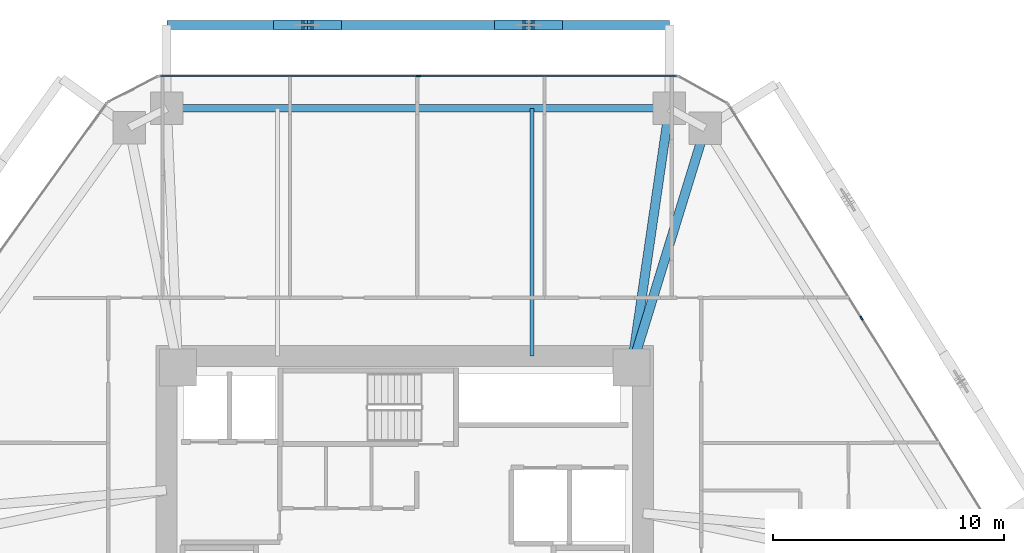
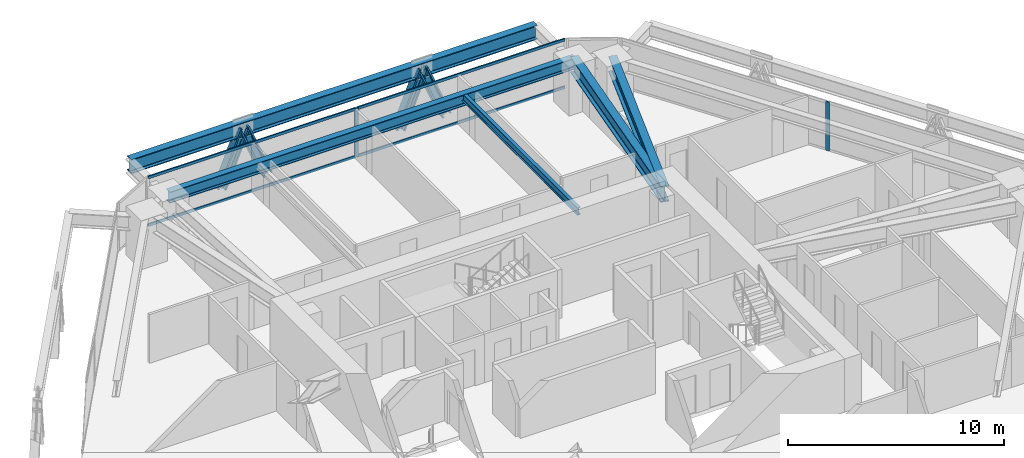
# One storey, part 8 of 18: 10 members, 5 beams, 2 elements without a shape of their own.
"""IFC4 building model written with IfcOpenShell, lengths in metres."""

from ifc_helpers import new_model, si_unit, direction, frame, origin, origin_2d, place, context, subcontext, project, spatial, rectangle, i_section, extrude, source, transform, mapped, material, layer, layer_set, material_profile, profile_set, type_object, type_shapes, element, aggregate, save


model = new_model("IFC4")

# Units and contexts
model_context = context("Model", 3, precision=1e-05, world=origin(), true_north=direction((0.0, 1.0)))
body_context = subcontext(model_context, "Body", "Model", "MODEL_VIEW")
ifc_project = project(units=[si_unit("LENGTHUNIT", "METRE"), si_unit("AREAUNIT", "SQUARE_METRE"), si_unit("VOLUMEUNIT", "CUBIC_METRE"), si_unit("PLANEANGLEUNIT", "RADIAN"), si_unit("MASSUNIT", "GRAM", prefix="KILO")], contexts=[model_context])

# Site, building, storey
site_placement = place(None, origin())
site = spatial("IfcSite", under=ifc_project, at=site_placement, CompositionType="ELEMENT")
building_placement = place(site_placement, origin())
building = spatial("IfcBuilding", under=site, at=building_placement, Name="Durnholm Broadcast Tower", CompositionType="ELEMENT")
storey_placement = place(building_placement, frame((0.0, 0.0, 78.300048828125)))
storey = spatial("IfcBuildingStorey", under=building, at=storey_placement, Name="L20", CompositionType="ELEMENT", Elevation=78.300048828125)

# Beams
ifc_material_1 = material(Name="Steel ASTM A992 Grade 50", Category="steel")
ifc_material_profile_1 = material_profile(ifc_material_1, i_section(OverallWidth=0.3291015625, OverallDepth=0.635009765625, WebThickness=0.017822265625, FlangeThickness=0.031005859375, FilletRadius=0.02783203125, at=origin_2d()), Name="W24X162")
ifc_profile_set_1 = profile_set([ifc_material_profile_1], Name="Steel ASTM A992 Grade 50")
beam_type_1 = type_object("IfcBeamType", Name="STL-SP-W24X162", PredefinedType="SPANDREL", material=ifc_profile_set_1)
shared_shape_1 = source(origin(), body_context, "Body", "SweptSolid", [
    extrude(i_section(OverallWidth=0.3291015625, OverallDepth=0.635009765625, WebThickness=0.017822265625, FlangeThickness=0.031005859375, FilletRadius=0.02783203125, at=origin_2d()), origin(), (0.0, 0.0, 1.0), 21.7138671875),
])
type_shapes(beam_type_1, [shared_shape_1])
beam_1_placement = place(storey_placement, frame((-10.28271484375, 19.0, 2.427490234375), z_axis=(1.0, 0.0, 0.0), x_axis=(0.0, 1.0, 0.0)))
element("IfcBeam", 1, at=beam_1_placement, inside=storey, type_object=beam_type_1, Name="L20 perimeter spandrel girder 05", PredefinedType="SPANDREL", context=body_context, shape_type="MappedRepresentation", body=[
    mapped(shared_shape_1, transform((0.0, 0.0, 0.0), x_axis=(1.0, 0.0, 0.0), y_axis=(0.0, 1.0, 0.0), z_axis=(0.0, 0.0, 1.0), scale=1.0)),
])
ifc_material_profile_2 = material_profile(ifc_material_1, i_section(OverallWidth=0.404052734375, OverallDepth=0.885009765625, WebThickness=0.0244140625, FlangeThickness=0.0439453125, FilletRadius=0.03564453125, at=origin_2d()), Name="W33X291")
ifc_profile_set_2 = profile_set([ifc_material_profile_2], Name="Steel ASTM A992 Grade 50")
beam_type_2 = type_object("IfcBeamType", Name="STL-GR-W33X291", PredefinedType="USERDEFINED", material=ifc_profile_set_2)
shared_shape_2 = source(origin(), body_context, "Body", "SweptSolid", [
    extrude(i_section(OverallWidth=0.404052734375, OverallDepth=0.885009765625, WebThickness=0.0244140625, FlangeThickness=0.0439453125, FilletRadius=0.03564453125, at=origin_2d()), origin(), (0.0, 0.0, 1.0), 11.318115234375),
])
beam_2_placement = place(storey_placement, frame((9.800048828125, 7.800048828125, 2.302490234375), z_axis=(0.144114595679, 0.989561005352, 0.0), x_axis=(-0.989561005352, 0.144114595679, 0.0)))
element("IfcBeam", 2, at=beam_2_placement, inside=storey, type_object=beam_type_2, Name="L20 radial primary floor girder 06", ObjectType="GIRDER", PredefinedType="USERDEFINED", context=body_context, shape_type="MappedRepresentation", body=[
    mapped(shared_shape_2, transform((0.0, 0.0, 0.0), x_axis=(1.0, 0.0, 0.0), y_axis=(0.0, 1.0, 0.0), z_axis=(0.0, 0.0, 1.0), scale=1.0)),
])
shared_shape_3 = source(origin(), body_context, "Body", "SweptSolid", [
    extrude(i_section(OverallWidth=0.404052734375, OverallDepth=0.885009765625, WebThickness=0.0244140625, FlangeThickness=0.0439453125, FilletRadius=0.03564453125, at=origin_2d()), origin(), (0.0, 0.0, 1.0), 10.817138671875),
])
type_shapes(beam_type_2, [shared_shape_2, shared_shape_3])
beam_3_placement = place(storey_placement, frame((9.800048828125, 7.800048828125, 2.302490234375), z_axis=(0.294219068418, 0.955738007918, 0.0), x_axis=(-0.955738007918, 0.294219068418, 0.0)))
element("IfcBeam", 3, at=beam_3_placement, inside=storey, type_object=beam_type_2, Name="L20 radial primary floor girder 07", ObjectType="GIRDER", PredefinedType="USERDEFINED", context=body_context, shape_type="MappedRepresentation", body=[
    mapped(shared_shape_3, transform((0.0, 0.0, 0.0), x_axis=(1.0, 0.0, 0.0), y_axis=(0.0, 1.0, 0.0), z_axis=(0.0, 0.0, 1.0), scale=1.0)),
])
ifc_material_profile_3 = material_profile(ifc_material_1, i_section(OverallWidth=0.180908203125, OverallDepth=0.417236328125, WebThickness=0.010986328125, FlangeThickness=0.018310546875, FilletRadius=0.01904296875, at=origin_2d()), Name="W16X57")
ifc_profile_set_3 = profile_set([ifc_material_profile_3], Name="Steel ASTM A992 Grade 50")
beam_type_3 = type_object("IfcBeamType", Name="STL-BJ-W16X57", PredefinedType="JOIST", material=ifc_profile_set_3)
shared_shape_4 = source(origin(), body_context, "Body", "SweptSolid", [
    extrude(i_section(OverallWidth=0.180908203125, OverallDepth=0.417236328125, WebThickness=0.010986328125, FlangeThickness=0.018310546875, FilletRadius=0.01904296875, at=origin_2d()), origin(), (0.0, 0.0, 1.0), 10.699951171875),
])
type_shapes(beam_type_3, [shared_shape_4])
beam_4_placement = place(storey_placement, frame((5.5, 8.300048828125, 2.5361328125), z_axis=(0.0, 1.0, 0.0), x_axis=(-1.0, 0.0, 0.0)))
element("IfcBeam", 4, at=beam_4_placement, inside=storey, type_object=beam_type_3, Name="L20 secondary floor joist 4.2", PredefinedType="JOIST", context=body_context, shape_type="MappedRepresentation", body=[
    mapped(shared_shape_4, transform((0.0, 0.0, 0.0), x_axis=(1.0, 0.0, 0.0), y_axis=(0.0, 1.0, 0.0), z_axis=(0.0, 0.0, 1.0), scale=1.0)),
])
ifc_material_profile_4 = material_profile(ifc_material_1, i_section(OverallWidth=0.385009765625, OverallDepth=0.802978515625, WebThickness=0.023681640625, FlangeThickness=0.0419921875, FilletRadius=0.032958984375, at=origin_2d()), Name="W30X261")
ifc_profile_set_4 = profile_set([ifc_material_profile_4], Name="Steel ASTM A992 Grade 50")
beam_type_4 = type_object("IfcBeamType", Name="BM-EXO-TIE", PredefinedType="USERDEFINED", material=ifc_profile_set_4)
shared_shape_5 = source(origin(), body_context, "Body", "SweptSolid", [
    extrude(i_section(OverallWidth=0.385009765625, OverallDepth=0.802978515625, WebThickness=0.023681640625, FlangeThickness=0.0419921875, FilletRadius=0.032958984375, at=origin_2d()), origin(), (0.0, 0.0, 1.0), 21.7138671875),
])
type_shapes(beam_type_4, [shared_shape_5])
beam_5_placement = place(storey_placement, frame((11.43115234375, 22.60009765625, 2.008544921875), z_axis=(-1.0, 0.0, 0.0), x_axis=(0.0, -1.0, 0.0)))
element("IfcBeam", 5, at=beam_5_placement, inside=storey, type_object=beam_type_4, Name="L20 exoskeleton collector spandrel F4", PredefinedType="SPANDREL", context=body_context, shape_type="MappedRepresentation", body=[
    mapped(shared_shape_5, transform((0.0, 0.0, 0.0), x_axis=(1.0, 0.0, 0.0), y_axis=(0.0, 1.0, 0.0), z_axis=(0.0, 0.0, 1.0), scale=1.0)),
])

# Members
ifc_material_2 = material(Name="Steel ASTM A913 Grade 65", Category="steel")
ifc_material_profile_5 = material_profile(ifc_material_2, i_section(OverallWidth=0.43212890625, OverallDepth=0.497802734375, WebThickness=0.0556640625, FlangeThickness=0.0888671875, FilletRadius=0.030517578125, at=origin_2d()), Name="W14X500")
ifc_profile_set_5 = profile_set([ifc_material_profile_5], Name="Steel ASTM A913 Grade 65")
member_type_1 = type_object("IfcMemberType", Name="STL-DG-W14X500", PredefinedType="BRACE", material=ifc_profile_set_5)
shared_shape_6 = source(origin(), body_context, "Body", "SweptSolid", [
    extrude(i_section(OverallWidth=0.43212890625, OverallDepth=0.497802734375, WebThickness=0.0556640625, FlangeThickness=0.0888671875, FilletRadius=0.030517578125, at=origin_2d()), origin(), (0.0, 0.0, 1.0), 3.243896484375),
])
type_shapes(member_type_1, [shared_shape_6])
for number, where, z_axis, x_axis, name in (
    (6, (6.585205078125, 22.60009765625, -0.991455078125), (-0.380378804119, 0.0, 0.924830776616), (0.0, -1.0, 0.0), "L20 stand-off diagrid brace F4.D1.1"),
    (7, (4.117431640625, 22.60009765625, -0.991455078125), (0.380378804119, 0.0, 0.924830776616), (0.0, 1.0, 0.0), "L20 stand-off diagrid brace F4.D1.2"),
    (8, (-2.968994140625, 22.60009765625, -0.991455078125), (-0.380378804119, 0.0, 0.924830776616), (0.0, -1.0, 0.0), "L20 stand-off diagrid brace F4.D2.1"),
    (9, (-5.436767578125, 22.60009765625, -0.991455078125), (0.380378804119, 0.0, 0.924830776616), (0.0, 1.0, 0.0), "L20 stand-off diagrid brace F4.D2.2"),
):
    element("IfcMember", number, at=place(storey_placement, frame(where, z_axis=z_axis, x_axis=x_axis)), inside=storey, type_object=member_type_1, Name=name, PredefinedType="BRACE", context=body_context, shape_type="MappedRepresentation", body=[
        mapped(shared_shape_6, transform((0.0, 0.0, 0.0), x_axis=(1.0, 0.0, 0.0), y_axis=(0.0, 1.0, 0.0), z_axis=(0.0, 0.0, 1.0), scale=1.0)),
    ])

# Curtain wall, members
ifc_material_3 = material(Name="Aluminium and Solar Control IGU", Category="aluminium")
ifc_layer = layer(ifc_material_3, 0.18994140625)
ifc_layer_set = layer_set([ifc_layer], Name="Aluminium and Solar Control IGU")
curtain_wall_type = type_object("IfcCurtainWallType", Name="CW-SYS-3", PredefinedType="NOTDEFINED", material=ifc_layer_set)
curtain_wall_1_placement = place(storey_placement, origin())
curtain_wall_1 = element("IfcCurtainWall", 10, at=curtain_wall_1_placement, inside=storey, type_object=curtain_wall_type, Name="L20 curtain wall CW-Z12-VIS CW-L20-F04", PredefinedType="NOTDEFINED")
ifc_material_4 = material(Name="Aluminium 6063-T6", Category="aluminium")
ifc_material_profile_6 = material_profile(ifc_material_4, rectangle(XDim=0.070068359375, YDim=0.14990234375, at=origin_2d()), Name="CWT70X150")
ifc_profile_set_6 = profile_set([ifc_material_profile_6], Name="Aluminium 6063-T6")
member_type_2 = type_object("IfcMemberType", Name="CW-SYS-3-TRN", PredefinedType="USERDEFINED", material=ifc_profile_set_6)
shared_shape_7 = source(origin(), body_context, "Body", "SweptSolid", [
    extrude(rectangle(XDim=0.070068359375, YDim=0.14990234375, at=origin_2d()), origin(), (0.0, 0.0, 1.0), 11.10205078125),
])
type_shapes(member_type_2, [shared_shape_7])
member_1_placement = place(storey_placement, frame((-10.55029296875, 20.39990234375, 0.034912109375), z_axis=(1.0, 0.0, 0.0), x_axis=(0.0, 1.0, 0.0)))
member_1 = element("IfcMember", 11, at=member_1_placement, type_object=member_type_2, Name="CW-Z12-VIS transom 1.1", ObjectType="TRANSOM", PredefinedType="USERDEFINED", context=body_context, shape_type="MappedRepresentation", body=[
    mapped(shared_shape_7, transform((0.0, 0.0, 0.0), x_axis=(1.0, 0.0, 0.0), y_axis=(0.0, 1.0, 0.0), z_axis=(0.0, 0.0, 1.0), scale=1.0)),
])
member_2_placement = place(storey_placement, frame((-10.55029296875, 20.39990234375, 2.724853515625), z_axis=(1.0, 0.0, 0.0), x_axis=(0.0, 1.0, 0.0)))
member_2 = element("IfcMember", 12, at=member_2_placement, type_object=member_type_2, Name="CW-Z12-VIS transom 1.2", ObjectType="TRANSOM", PredefinedType="USERDEFINED", context=body_context, shape_type="MappedRepresentation", body=[
    mapped(shared_shape_7, transform((0.0, 0.0, 0.0), x_axis=(1.0, 0.0, 0.0), y_axis=(0.0, 1.0, 0.0), z_axis=(0.0, 0.0, 1.0), scale=1.0)),
])
member_3_placement = place(storey_placement, frame((0.621826171875, 20.39990234375, 0.034912109375), z_axis=(1.0, 0.0, 0.0), x_axis=(0.0, 1.0, 0.0)))
member_3 = element("IfcMember", 13, at=member_3_placement, type_object=member_type_2, Name="CW-Z12-VIS transom 2.1", ObjectType="TRANSOM", PredefinedType="USERDEFINED", context=body_context, shape_type="MappedRepresentation", body=[
    mapped(shared_shape_7, transform((0.0, 0.0, 0.0), x_axis=(1.0, 0.0, 0.0), y_axis=(0.0, 1.0, 0.0), z_axis=(0.0, 0.0, 1.0), scale=1.0)),
])
member_4_placement = place(storey_placement, frame((0.621826171875, 20.39990234375, 2.724853515625), z_axis=(1.0, 0.0, 0.0), x_axis=(0.0, 1.0, 0.0)))
member_4 = element("IfcMember", 14, at=member_4_placement, type_object=member_type_2, Name="CW-Z12-VIS transom 2.2", ObjectType="TRANSOM", PredefinedType="USERDEFINED", context=body_context, shape_type="MappedRepresentation", body=[
    mapped(shared_shape_7, transform((0.0, 0.0, 0.0), x_axis=(1.0, 0.0, 0.0), y_axis=(0.0, 1.0, 0.0), z_axis=(0.0, 0.0, 1.0), scale=1.0)),
])
ifc_material_profile_7 = material_profile(ifc_material_4, rectangle(XDim=0.070068359375, YDim=0.18994140625, at=origin_2d()), Name="CWM70X190")
ifc_profile_set_7 = profile_set([ifc_material_profile_7], Name="Aluminium 6063-T6")
member_type_3 = type_object("IfcMemberType", Name="CW-SYS-3-MUL", PredefinedType="MULLION", material=ifc_profile_set_7)
shared_shape_8 = source(origin(), body_context, "Body", "SweptSolid", [
    extrude(rectangle(XDim=0.070068359375, YDim=0.18994140625, at=origin_2d()), origin(), (0.0, 0.0, 1.0), 2.760009765625),
])
type_shapes(member_type_3, [shared_shape_8])
member_5_placement = place(storey_placement, frame((0.5869140625, 20.39990234375, 0.0), z_axis=(0.0, 0.0, 1.0), x_axis=(0.0, 1.0, 0.0)))
member_5 = element("IfcMember", 15, at=member_5_placement, type_object=member_type_3, Name="CW-Z12-VIS mullion 2", PredefinedType="MULLION", context=body_context, shape_type="MappedRepresentation", body=[
    mapped(shared_shape_8, transform((0.0, 0.0, 0.0), x_axis=(1.0, 0.0, 0.0), y_axis=(0.0, 1.0, 0.0), z_axis=(0.0, 0.0, 1.0), scale=1.0)),
])
aggregate(curtain_wall_1, [member_5, member_1, member_2, member_3, member_4])

# Curtain wall, member
curtain_wall_2_placement = place(storey_placement, origin())
curtain_wall_2 = element("IfcCurtainWall", 16, at=curtain_wall_2_placement, inside=storey, type_object=curtain_wall_type, Name="L20 curtain wall CW-Z12-VIS CW-L20-F06", PredefinedType="NOTDEFINED")
member_6_placement = place(storey_placement, frame((19.741943359375, 9.93212890625, 0.0), z_axis=(0.0, 0.0, 1.0), x_axis=(0.848875785503, 0.528592376777, 0.0)))
member_6 = element("IfcMember", 17, at=member_6_placement, type_object=member_type_3, Name="CW-Z12-VIS mullion 2", PredefinedType="MULLION", context=body_context, shape_type="MappedRepresentation", body=[
    mapped(shared_shape_8, transform((0.0, 0.0, 0.0), x_axis=(1.0, 0.0, 0.0), y_axis=(0.0, 1.0, 0.0), z_axis=(0.0, 0.0, 1.0), scale=1.0)),
])
aggregate(curtain_wall_2, [member_6])

save(model, "model.ifc")
